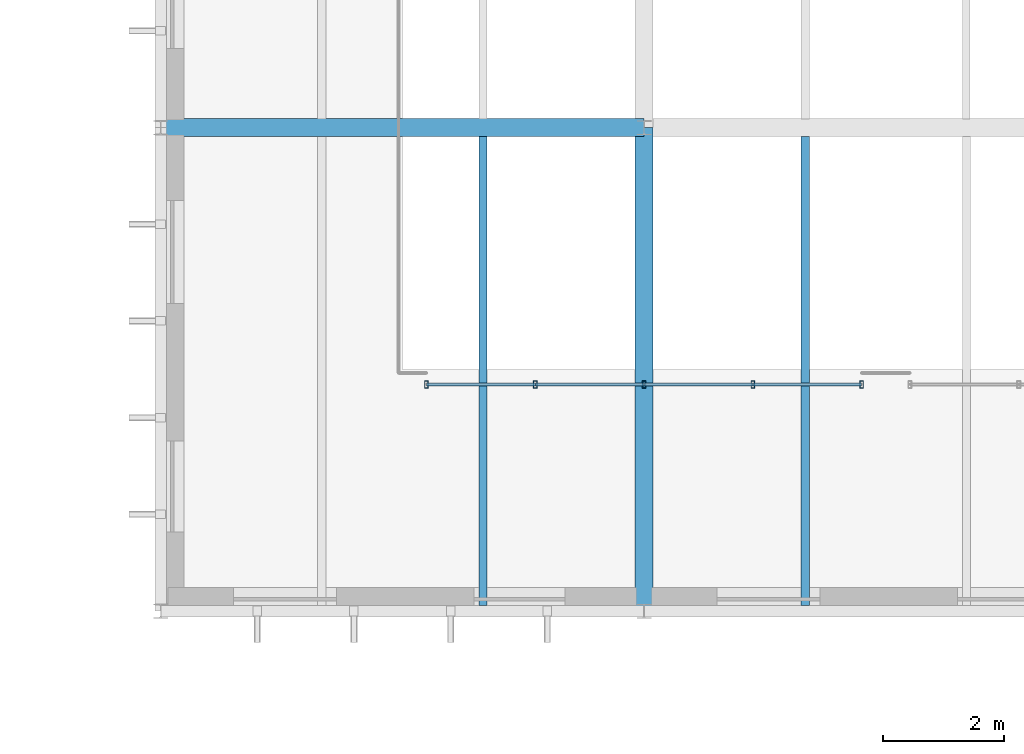
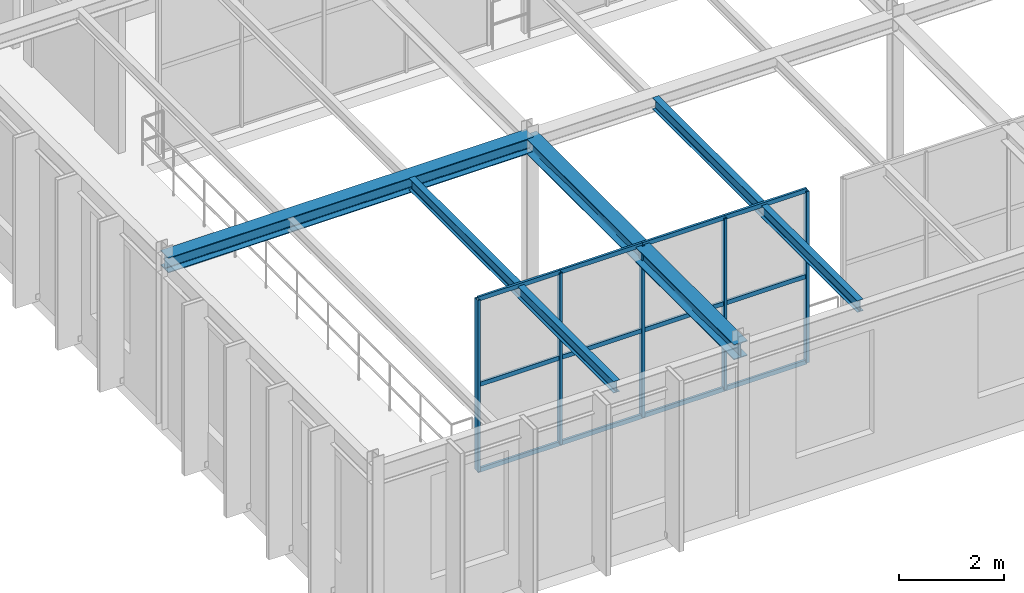
# One storey, part 54 of 124: 17 members, 4 beams, 1 element without a shape of its own.
"""IFC4 building model written with IfcOpenShell, lengths in metres."""

from ifc_helpers import new_model, si_unit, direction, frame, origin, origin_2d, place, context, subcontext, project, spatial, hollow_rectangle, i_section, extrude, material, material_profile, profile_set, type_object, element, aggregate, save


model = new_model("IFC4")

# Units and contexts
model_context = context("Model", 3, precision=1e-05, world=origin(), true_north=direction((0.0, 1.0)))
body_context = subcontext(model_context, "Body", "Model", "MODEL_VIEW")
ifc_project = project(units=[si_unit("LENGTHUNIT", "METRE"), si_unit("AREAUNIT", "SQUARE_METRE"), si_unit("VOLUMEUNIT", "CUBIC_METRE"), si_unit("PLANEANGLEUNIT", "RADIAN"), si_unit("MASSUNIT", "GRAM", prefix="KILO")], contexts=[model_context])

# Site, building, storey
site_placement = place(None, origin())
site = spatial("IfcSite", under=ifc_project, at=site_placement, CompositionType="ELEMENT")
building_placement = place(site_placement, origin())
building = spatial("IfcBuilding", under=site, at=building_placement, Name="Sundkrona Museum", CompositionType="ELEMENT")
storey_placement = place(building_placement, frame((0.0, 0.0, 17.60009765625)))
storey = spatial("IfcBuildingStorey", under=building, at=storey_placement, Name="L03", CompositionType="ELEMENT", Elevation=17.60009765625)

# Beams
ifc_material_1 = material(Name="Steel S355J2", Category="steel")
ifc_material_profile_1 = material_profile(ifc_material_1, i_section(OverallWidth=0.300048828125, OverallDepth=0.35009765625, WebThickness=0.010009765625, FlangeThickness=0.017578125, FilletRadius=0.027099609375, at=origin_2d()), Name="HEA 360")
ifc_profile_set_1 = profile_set([ifc_material_profile_1], Name="Steel S355J2")
beam_type_1 = type_object("IfcBeamType", Name="B-HEA360", PredefinedType="BEAM", material=ifc_profile_set_1)
for number, where, z_axis, x_axis, name in (
    (1, (16.0, 86.0, 3.784912109375), (1.0, 0.0, 0.0), (0.0, 1.0, 0.0), "L03 Girder X-1498"),
    (2, (24.0, 78.0, 3.784912109375), (0.0, 1.0, 0.0), (-1.0, 0.0, 0.0), "L03 Girder Y-1563"),
):
    element("IfcBeam", number, at=place(storey_placement, frame(where, z_axis=z_axis, x_axis=x_axis)), inside=storey, type_object=beam_type_1, Name=name, PredefinedType="BEAM", context=body_context, shape_type="SweptSolid", body=[
        extrude(i_section(OverallWidth=0.300048828125, OverallDepth=0.35009765625, WebThickness=0.010009765625, FlangeThickness=0.017578125, FilletRadius=0.027099609375, at=origin_2d()), origin(), (0.0, 0.0, 1.0), 8.0),
    ])
ifc_material_profile_2 = material_profile(ifc_material_1, i_section(OverallWidth=0.135009765625, OverallDepth=0.27001953125, WebThickness=0.006591796875, FlangeThickness=0.01025390625, FilletRadius=0.014892578125, at=origin_2d()), Name="IPE 270")
ifc_profile_set_2 = profile_set([ifc_material_profile_2], Name="Steel S355J2")
beam_type_2 = type_object("IfcBeamType", Name="J-IPE270", PredefinedType="JOIST", material=ifc_profile_set_2)
for number, where, z_axis, x_axis, name in (
    (3, (21.333251953125, 78.089111328125, 3.824951171875), (0.0, 1.0, 0.0), (-1.0, 0.0, 0.0), "L03 Composite Joist 0970"),
    (4, (26.666748046875, 78.089111328125, 3.824951171875), (0.0, 1.0, 0.0), (-1.0, 0.0, 0.0), "L03 Composite Joist 0982"),
):
    element("IfcBeam", number, at=place(storey_placement, frame(where, z_axis=z_axis, x_axis=x_axis)), inside=storey, type_object=beam_type_2, Name=name, PredefinedType="JOIST", context=body_context, shape_type="SweptSolid", body=[
        extrude(i_section(OverallWidth=0.135009765625, OverallDepth=0.27001953125, WebThickness=0.006591796875, FlangeThickness=0.01025390625, FilletRadius=0.014892578125, at=origin_2d()), origin(), (0.0, 0.0, 1.0), 7.766845703125),
    ])

# Curtain wall, members
ifc_material_2 = material(Name="Unitised Aluminium-Steel and Ceramic-Clad Curtain Walling", Category="steel")
curtain_wall_type = type_object("IfcCurtainWallType", Name="CW-CL-64x38", PredefinedType="NOTDEFINED", material=ifc_material_2)
curtain_wall_placement = place(storey_placement, origin())
curtain_wall = element("IfcCurtainWall", 5, at=curtain_wall_placement, inside=storey, type_object=curtain_wall_type, Name="L03 Curtain Wall CW-L03-136", PredefinedType="NOTDEFINED")
ifc_material_3 = material(Name="Aluminium EN AW-6060 T66", Category="aluminium")
ifc_material_profile_3 = material_profile(ifc_material_3, hollow_rectangle(XDim=0.06005859375, YDim=0.1201171875, WallThickness=0.0048828125, at=origin_2d()), Name="RHS 120x60x5.0")
ifc_profile_set_3 = profile_set([ifc_material_profile_3], Name="Aluminium EN AW-6060 T66")
member_type_1 = type_object("IfcMemberType", Name="ML-120", PredefinedType="MULLION", material=ifc_profile_set_3)
member_1_placement = place(storey_placement, frame((20.39990234375, 81.75, -0.004150390625), z_axis=(0.0, 0.0, 1.0), x_axis=(1.0, 0.0, 0.0)))
member_1 = element("IfcMember", 6, at=member_1_placement, type_object=member_type_1, Name="CW-L03-136 Mullion 01", PredefinedType="MULLION", context=body_context, shape_type="SweptSolid", body=[
    extrude(hollow_rectangle(XDim=0.06005859375, YDim=0.1201171875, WallThickness=0.0048828125, at=origin_2d()), origin(), (0.0, 0.0, 1.0), 3.968017578125),
])
member_2_placement = place(storey_placement, frame((22.199951171875, 81.75, -0.004150390625), z_axis=(0.0, 0.0, 1.0), x_axis=(1.0, 0.0, 0.0)))
member_2 = element("IfcMember", 7, at=member_2_placement, type_object=member_type_1, Name="CW-L03-136 Mullion 02", PredefinedType="MULLION", context=body_context, shape_type="SweptSolid", body=[
    extrude(hollow_rectangle(XDim=0.06005859375, YDim=0.1201171875, WallThickness=0.0048828125, at=origin_2d()), origin(), (0.0, 0.0, 1.0), 3.968017578125),
])
member_3_placement = place(storey_placement, frame((24.0, 81.75, -0.004150390625), z_axis=(0.0, 0.0, 1.0), x_axis=(1.0, 0.0, 0.0)))
member_3 = element("IfcMember", 8, at=member_3_placement, type_object=member_type_1, Name="CW-L03-136 Mullion 03", PredefinedType="MULLION", context=body_context, shape_type="SweptSolid", body=[
    extrude(hollow_rectangle(XDim=0.06005859375, YDim=0.1201171875, WallThickness=0.0048828125, at=origin_2d()), origin(), (0.0, 0.0, 1.0), 3.968017578125),
])
member_4_placement = place(storey_placement, frame((25.800048828125, 81.75, -0.004150390625), z_axis=(0.0, 0.0, 1.0), x_axis=(1.0, 0.0, 0.0)))
member_4 = element("IfcMember", 9, at=member_4_placement, type_object=member_type_1, Name="CW-L03-136 Mullion 04", PredefinedType="MULLION", context=body_context, shape_type="SweptSolid", body=[
    extrude(hollow_rectangle(XDim=0.06005859375, YDim=0.1201171875, WallThickness=0.0048828125, at=origin_2d()), origin(), (0.0, 0.0, 1.0), 3.968017578125),
])
member_5_placement = place(storey_placement, frame((27.60009765625, 81.75, -0.004150390625), z_axis=(0.0, 0.0, 1.0), x_axis=(1.0, 0.0, 0.0)))
member_5 = element("IfcMember", 10, at=member_5_placement, type_object=member_type_1, Name="CW-L03-136 Mullion 05", PredefinedType="MULLION", context=body_context, shape_type="SweptSolid", body=[
    extrude(hollow_rectangle(XDim=0.06005859375, YDim=0.1201171875, WallThickness=0.0048828125, at=origin_2d()), origin(), (0.0, 0.0, 1.0), 3.968017578125),
])
ifc_material_profile_4 = material_profile(ifc_material_3, hollow_rectangle(XDim=0.050048828125, YDim=0.10009765625, WallThickness=0.0048828125, at=origin_2d()), Name="RHS 100x50x5.0")
ifc_profile_set_4 = profile_set([ifc_material_profile_4], Name="Aluminium EN AW-6060 T66")
member_type_2 = type_object("IfcMemberType", Name="TR-100", PredefinedType="USERDEFINED", material=ifc_profile_set_4)
member_6_placement = place(storey_placement, frame((20.39990234375, 81.75, -0.004150390625), z_axis=(1.0, 0.0, 0.0), x_axis=(0.0, 1.0, 0.0)))
member_6 = element("IfcMember", 11, at=member_6_placement, type_object=member_type_2, Name="CW-L03-136 Transom 01", ObjectType="TRANSOM", PredefinedType="USERDEFINED", context=body_context, shape_type="SweptSolid", body=[
    extrude(hollow_rectangle(XDim=0.050048828125, YDim=0.10009765625, WallThickness=0.0048828125, at=origin_2d()), origin(), (0.0, 0.0, 1.0), 1.800048828125),
])
member_7_placement = place(storey_placement, frame((20.39990234375, 81.75, 1.97998046875), z_axis=(1.0, 0.0, 0.0), x_axis=(0.0, 1.0, 0.0)))
member_7 = element("IfcMember", 12, at=member_7_placement, type_object=member_type_2, Name="CW-L03-136 Transom 02", ObjectType="TRANSOM", PredefinedType="USERDEFINED", context=body_context, shape_type="SweptSolid", body=[
    extrude(hollow_rectangle(XDim=0.050048828125, YDim=0.10009765625, WallThickness=0.0048828125, at=origin_2d()), origin(), (0.0, 0.0, 1.0), 1.800048828125),
])
member_8_placement = place(storey_placement, frame((20.39990234375, 81.75, 3.9638671875), z_axis=(1.0, 0.0, 0.0), x_axis=(0.0, 1.0, 0.0)))
member_8 = element("IfcMember", 13, at=member_8_placement, type_object=member_type_2, Name="CW-L03-136 Transom 03", ObjectType="TRANSOM", PredefinedType="USERDEFINED", context=body_context, shape_type="SweptSolid", body=[
    extrude(hollow_rectangle(XDim=0.050048828125, YDim=0.10009765625, WallThickness=0.0048828125, at=origin_2d()), origin(), (0.0, 0.0, 1.0), 1.800048828125),
])
member_9_placement = place(storey_placement, frame((22.199951171875, 81.75, -0.004150390625), z_axis=(1.0, 0.0, 0.0), x_axis=(0.0, 1.0, 0.0)))
member_9 = element("IfcMember", 14, at=member_9_placement, type_object=member_type_2, Name="CW-L03-136 Transom 04", ObjectType="TRANSOM", PredefinedType="USERDEFINED", context=body_context, shape_type="SweptSolid", body=[
    extrude(hollow_rectangle(XDim=0.050048828125, YDim=0.10009765625, WallThickness=0.0048828125, at=origin_2d()), origin(), (0.0, 0.0, 1.0), 1.800048828125),
])
member_10_placement = place(storey_placement, frame((22.199951171875, 81.75, 1.97998046875), z_axis=(1.0, 0.0, 0.0), x_axis=(0.0, 1.0, 0.0)))
member_10 = element("IfcMember", 15, at=member_10_placement, type_object=member_type_2, Name="CW-L03-136 Transom 05", ObjectType="TRANSOM", PredefinedType="USERDEFINED", context=body_context, shape_type="SweptSolid", body=[
    extrude(hollow_rectangle(XDim=0.050048828125, YDim=0.10009765625, WallThickness=0.0048828125, at=origin_2d()), origin(), (0.0, 0.0, 1.0), 1.800048828125),
])
member_11_placement = place(storey_placement, frame((22.199951171875, 81.75, 3.9638671875), z_axis=(1.0, 0.0, 0.0), x_axis=(0.0, 1.0, 0.0)))
member_11 = element("IfcMember", 16, at=member_11_placement, type_object=member_type_2, Name="CW-L03-136 Transom 06", ObjectType="TRANSOM", PredefinedType="USERDEFINED", context=body_context, shape_type="SweptSolid", body=[
    extrude(hollow_rectangle(XDim=0.050048828125, YDim=0.10009765625, WallThickness=0.0048828125, at=origin_2d()), origin(), (0.0, 0.0, 1.0), 1.800048828125),
])
member_12_placement = place(storey_placement, frame((24.0, 81.75, -0.004150390625), z_axis=(1.0, 0.0, 0.0), x_axis=(0.0, 1.0, 0.0)))
member_12 = element("IfcMember", 17, at=member_12_placement, type_object=member_type_2, Name="CW-L03-136 Transom 07", ObjectType="TRANSOM", PredefinedType="USERDEFINED", context=body_context, shape_type="SweptSolid", body=[
    extrude(hollow_rectangle(XDim=0.050048828125, YDim=0.10009765625, WallThickness=0.0048828125, at=origin_2d()), origin(), (0.0, 0.0, 1.0), 1.800048828125),
])
member_13_placement = place(storey_placement, frame((24.0, 81.75, 1.97998046875), z_axis=(1.0, 0.0, 0.0), x_axis=(0.0, 1.0, 0.0)))
member_13 = element("IfcMember", 18, at=member_13_placement, type_object=member_type_2, Name="CW-L03-136 Transom 08", ObjectType="TRANSOM", PredefinedType="USERDEFINED", context=body_context, shape_type="SweptSolid", body=[
    extrude(hollow_rectangle(XDim=0.050048828125, YDim=0.10009765625, WallThickness=0.0048828125, at=origin_2d()), origin(), (0.0, 0.0, 1.0), 1.800048828125),
])
member_14_placement = place(storey_placement, frame((24.0, 81.75, 3.9638671875), z_axis=(1.0, 0.0, 0.0), x_axis=(0.0, 1.0, 0.0)))
member_14 = element("IfcMember", 19, at=member_14_placement, type_object=member_type_2, Name="CW-L03-136 Transom 09", ObjectType="TRANSOM", PredefinedType="USERDEFINED", context=body_context, shape_type="SweptSolid", body=[
    extrude(hollow_rectangle(XDim=0.050048828125, YDim=0.10009765625, WallThickness=0.0048828125, at=origin_2d()), origin(), (0.0, 0.0, 1.0), 1.800048828125),
])
member_15_placement = place(storey_placement, frame((25.800048828125, 81.75, -0.004150390625), z_axis=(1.0, 0.0, 0.0), x_axis=(0.0, 1.0, 0.0)))
member_15 = element("IfcMember", 20, at=member_15_placement, type_object=member_type_2, Name="CW-L03-136 Transom 10", ObjectType="TRANSOM", PredefinedType="USERDEFINED", context=body_context, shape_type="SweptSolid", body=[
    extrude(hollow_rectangle(XDim=0.050048828125, YDim=0.10009765625, WallThickness=0.0048828125, at=origin_2d()), origin(), (0.0, 0.0, 1.0), 1.800048828125),
])
member_16_placement = place(storey_placement, frame((25.800048828125, 81.75, 1.97998046875), z_axis=(1.0, 0.0, 0.0), x_axis=(0.0, 1.0, 0.0)))
member_16 = element("IfcMember", 21, at=member_16_placement, type_object=member_type_2, Name="CW-L03-136 Transom 11", ObjectType="TRANSOM", PredefinedType="USERDEFINED", context=body_context, shape_type="SweptSolid", body=[
    extrude(hollow_rectangle(XDim=0.050048828125, YDim=0.10009765625, WallThickness=0.0048828125, at=origin_2d()), origin(), (0.0, 0.0, 1.0), 1.800048828125),
])
member_17_placement = place(storey_placement, frame((25.800048828125, 81.75, 3.9638671875), z_axis=(1.0, 0.0, 0.0), x_axis=(0.0, 1.0, 0.0)))
member_17 = element("IfcMember", 22, at=member_17_placement, type_object=member_type_2, Name="CW-L03-136 Transom 12", ObjectType="TRANSOM", PredefinedType="USERDEFINED", context=body_context, shape_type="SweptSolid", body=[
    extrude(hollow_rectangle(XDim=0.050048828125, YDim=0.10009765625, WallThickness=0.0048828125, at=origin_2d()), origin(), (0.0, 0.0, 1.0), 1.800048828125),
])
aggregate(curtain_wall, [member_1, member_2, member_3, member_4, member_5, member_6, member_7, member_8, member_9, member_10, member_11, member_12, member_13, member_14, member_15, member_16, member_17])

save(model, "model.ifc")
